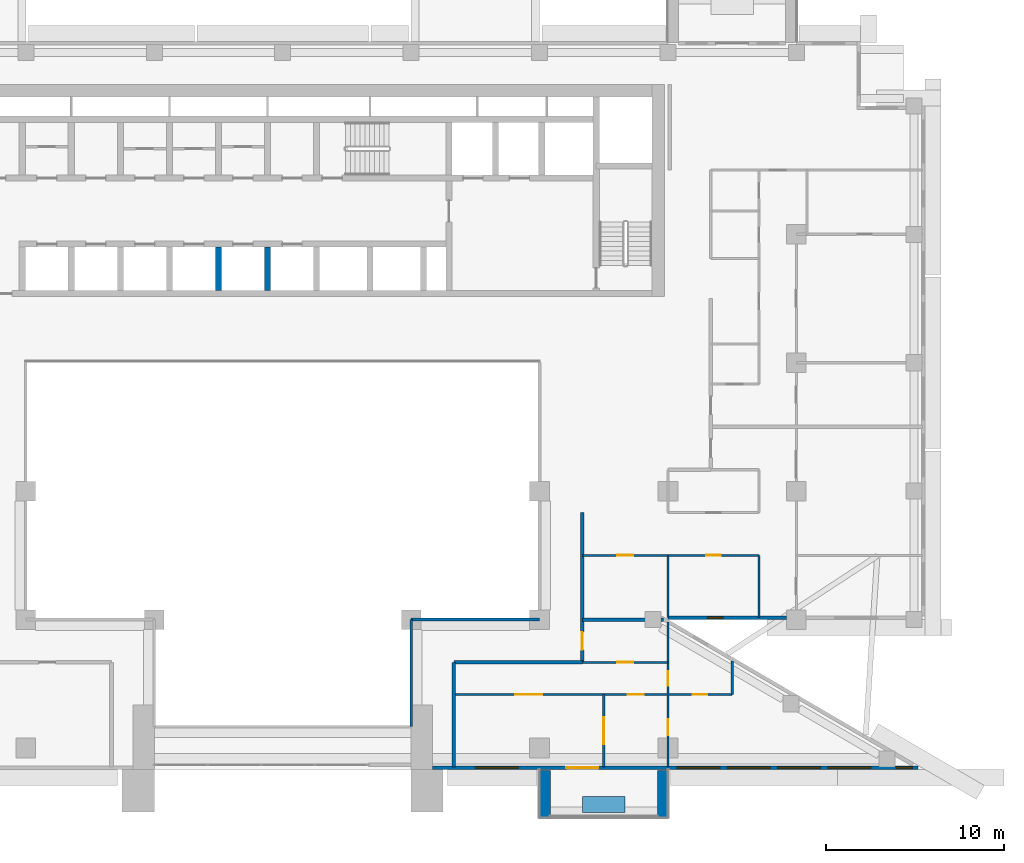
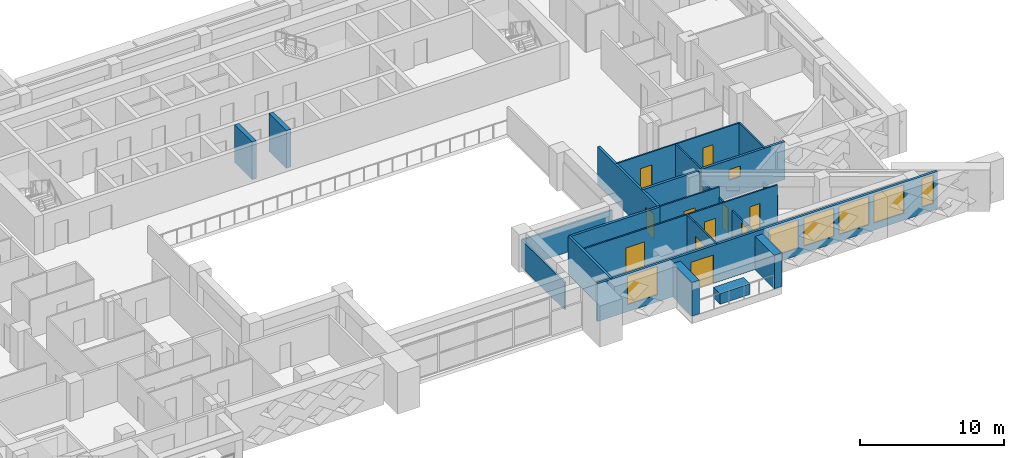
# One storey, part 8 of 19: 21 walls, 11 doors, 7 windows, 18 openings.
"""IFC4 building model written with IfcOpenShell, lengths in metres."""

from ifc_helpers import new_model, si_unit, direction, frame, frame_2d, origin, place, context, subcontext, project, spatial, rectangle, extrude, material, layer, layer_set, type_object, element, fill, save


model = new_model("IFC4")

# Units and contexts
model_context = context("Model", 3, precision=1e-05, world=origin(), true_north=direction((0.0, 1.0)))
body_context = subcontext(model_context, "Body", "Model", "MODEL_VIEW")
ifc_project = project(units=[si_unit("LENGTHUNIT", "METRE"), si_unit("AREAUNIT", "SQUARE_METRE"), si_unit("VOLUMEUNIT", "CUBIC_METRE"), si_unit("PLANEANGLEUNIT", "RADIAN"), si_unit("MASSUNIT", "GRAM", prefix="KILO")], contexts=[model_context])

# Site, building, storey
site_placement = place(None, origin())
site = spatial("IfcSite", under=ifc_project, at=site_placement, CompositionType="ELEMENT")
building_placement = place(site_placement, origin())
building = spatial("IfcBuilding", under=site, at=building_placement, Name="Saffron Iwan Residences", CompositionType="ELEMENT")
storey_placement = place(building_placement, frame((0.0, 0.0, 116.5)))
storey = spatial("IfcBuildingStorey", under=building, at=storey_placement, Name="L30", CompositionType="ELEMENT", Elevation=116.5)

# Walls
ifc_material_1 = material(Name="Fire-rated glazing", Category="glass")
ifc_layer_1 = layer(ifc_material_1, 0.14990234375)
ifc_layer_set_1 = layer_set([ifc_layer_1], Name="Fire-rated glazing")
wall_type_1 = type_object("IfcWallType", Name="Atrium glazed screen 150", PredefinedType="SOLIDWALL", material=ifc_layer_set_1)
wall_1_placement = place(storey_placement, frame((57.60009765625, 48.0, 0.0), z_axis=(0.0, 0.0, 1.0), x_axis=(1.0, 0.0, 0.0)))
element("IfcWall", 1, at=wall_1_placement, inside=storey, type_object=wall_type_1, Name="W-L30-SCREEN-h48-57.6", PredefinedType="SOLIDWALL", context=body_context, shape_type="SweptSolid", body=[
    extrude(rectangle(XDim=7.199951171875, YDim=0.14990234375, at=frame_2d((3.60009765625, 0.0))), origin(), (0.0, 0.0, 1.0), 2.300048828125),
])
wall_2_placement = place(storey_placement, frame((57.60009765625, 42.0, 0.0), z_axis=(0.0, 0.0, 1.0), x_axis=(0.0, 1.0, 0.0)))
element("IfcWall", 2, at=wall_2_placement, inside=storey, type_object=wall_type_1, Name="W-L30-SCREEN-v57.6-42", PredefinedType="SOLIDWALL", context=body_context, shape_type="SweptSolid", body=[
    extrude(rectangle(XDim=6.0, YDim=0.14990234375, at=frame_2d((3.0, 0.0))), origin(), (0.0, 0.0, 1.0), 2.300048828125),
])
ifc_material_2 = material(Name="Concrete C50/60 white painted", Category="concrete")
ifc_layer_2 = layer(ifc_material_2, 0.60009765625)
ifc_layer_set_2 = layer_set([ifc_layer_2], Name="Concrete C50/60 white painted")
wall_type_2 = type_object("IfcWallType", Name="BALCONY FIN 600", PredefinedType="SOLIDWALL", material=ifc_layer_set_2)
for number, where, z_axis, x_axis, name in (
    (3, (65.10009765625, 39.550048828125, 0.0), (0.0, 0.0, 1.0), (0.0, -1.0, 0.0), "Balcony fin L30 11-1a"),
    (4, (71.699951171875, 39.550048828125, 0.0), (0.0, 0.0, 1.0), (0.0, -1.0, 0.0), "Balcony fin L30 11-1b"),
):
    element("IfcWall", number, at=place(storey_placement, frame(where, z_axis=z_axis, x_axis=x_axis)), inside=storey, type_object=wall_type_2, Name=name, PredefinedType="SOLIDWALL", context=body_context, shape_type="SweptSolid", body=[
        extrude(rectangle(XDim=2.650146484375, YDim=0.60009765625, at=frame_2d((1.3251953125, 0.0))), origin(), (0.0, 0.0, 1.0), 2.85009765625),
    ])
ifc_material_3 = material(Name="Concrete C35/45 white painted", Category="concrete")
ifc_layer_3 = layer(ifc_material_3, 0.14990234375)
ifc_layer_set_3 = layer_set([ifc_layer_3], Name="Concrete C35/45 white painted")
wall_type_3 = type_object("IfcWallType", Name="BALCONY PLANTER", PredefinedType="SOLIDWALL", material=ifc_layer_set_3)
wall_3_placement = place(storey_placement, frame((67.199951171875, 37.625, 0.0), z_axis=(0.0, 0.0, 1.0), x_axis=(1.0, 0.0, 0.0)))
element("IfcWall", 5, at=wall_3_placement, inside=storey, type_object=wall_type_3, Name="PLANTER L30 11-1", PredefinedType="SOLIDWALL", context=body_context, shape_type="SweptSolid", body=[
    extrude(rectangle(XDim=2.400146484375, YDim=0.89990234375, at=frame_2d((1.2001953125, 0.0))), origin(), (0.0, 0.0, 1.0), 0.89990234375),
])

# Wall, opening, window
ifc_material_4 = material(Name="Concrete C40/50", Category="concrete")
ifc_layer_4 = layer(ifc_material_4, 0.199951171875)
ifc_layer_set_4 = layer_set([ifc_layer_4], Name="Concrete C40/50")
wall_type_4 = type_object("IfcWallType", Name="EXTERNAL WALL 200", PredefinedType="SOLIDWALL", material=ifc_layer_set_4)
wall_4_placement = place(storey_placement, frame((71.989990234375, 48.10009765625, 0.0), z_axis=(0.0, 0.0, 1.0), x_axis=(1.0, 0.0, 0.0)))
wall_4 = element("IfcWall", 6, at=wall_4_placement, inside=storey, type_object=wall_type_4, Name="External wall L30 F1.0", PredefinedType="SOLIDWALL", context=body_context, shape_type="SweptSolid", body=[
    extrude(rectangle(XDim=6.659912109375, YDim=0.199951171875, at=frame_2d((3.330078125, 0.0))), origin(), (0.0, 0.0, 1.0), 3.199951171875),
])
opening_1_placement = place(wall_4_placement, frame((2.204833984375, 0.0, 1.5)))
opening_1 = element("IfcOpeningElement", 7, at=opening_1_placement, cuts=wall_4, Name="Opening W6", PredefinedType="OPENING", context=body_context, shape_type="SweptSolid", body=[
    extrude(rectangle(XDim=0.89990234375, YDim=0.89990234375, at=frame_2d((0.449951171875, 0.449951171875))), frame((0.0, 0.10986328125, 0.0), z_axis=(0.0, -1.0, 0.0), x_axis=(1.0, 0.0, 0.0)), (0.0, 0.0, 1.0), 0.219970703125),
])
ifc_material_5 = material(Name="Clear glass, laminated double glazed", Category="glass")
window_type_1 = type_object("IfcWindowType", Name="WINDOW 900 x 900 BATH", PartitioningType="SINGLE_PANEL", PredefinedType="WINDOW", material=ifc_material_5)
window_1_placement = place(opening_1_placement, origin())
window_1 = element("IfcWindow", 8, at=window_1_placement, inside=storey, type_object=window_type_1, Name="Window L30 F1.0", OverallHeight=0.89990234375, OverallWidth=0.89990234375, PartitioningType="SINGLE_PANEL", PredefinedType="WINDOW", context=body_context, shape_type="SweptSolid", body=[
    extrude(rectangle(XDim=0.89990234375, YDim=0.89990234375, at=frame_2d((0.449951171875, 0.449951171875))), frame((0.0, 0.030029296875, 0.0), z_axis=(0.0, -1.0, 0.0), x_axis=(1.0, 0.0, 0.0)), (0.0, 0.0, 1.0), 0.06005859375),
])
fill(opening_1, window_1)

# Wall, openings, door, windows
wall_5_placement = place(storey_placement, frame((58.800048828125, 39.699951171875, 0.0), z_axis=(0.0, 0.0, 1.0), x_axis=(1.0, 0.0, 0.0)))
wall_5 = element("IfcWall", 9, at=wall_5_placement, inside=storey, type_object=wall_type_4, Name="External wall L30 F11.1", PredefinedType="SOLIDWALL", context=body_context, shape_type="SweptSolid", body=[
    extrude(rectangle(XDim=27.22998046875, YDim=0.199951171875, at=frame_2d((13.614990234375, 0.0))), origin(), (0.0, 0.0, 1.0), 3.199951171875),
])
opening_2_placement = place(wall_5_placement, frame((7.5, 0.0, 0.0)))
opening_2 = element("IfcOpeningElement", 10, at=opening_2_placement, cuts=wall_5, Name="Opening BD1", PredefinedType="OPENING", context=body_context, shape_type="SweptSolid", body=[
    extrude(rectangle(XDim=1.800048828125, YDim=2.39990234375, at=frame_2d((0.89990234375, 1.199951171875))), frame((0.0, 0.10986328125, 0.0), z_axis=(0.0, -1.0, 0.0), x_axis=(1.0, 0.0, 0.0)), (0.0, 0.0, 1.0), 0.219970703125),
])
opening_3_placement = place(wall_5_placement, frame((2.39990234375, 0.0, 0.60009765625)))
opening_3 = element("IfcOpeningElement", 11, at=opening_3_placement, cuts=wall_5, Name="Opening W1", PredefinedType="OPENING", context=body_context, shape_type="SweptSolid", body=[
    extrude(rectangle(XDim=2.39990234375, YDim=2.39990234375, at=frame_2d((1.199951171875, 1.199951171875))), frame((0.0, 0.10986328125, 0.0), z_axis=(0.0, -1.0, 0.0), x_axis=(1.0, 0.0, 0.0)), (0.0, 0.0, 1.0), 0.219970703125),
])
opening_4_placement = place(wall_5_placement, frame((13.715087890625, 0.0, 0.60009765625)))
opening_4 = element("IfcOpeningElement", 12, at=opening_4_placement, cuts=wall_5, Name="Opening W1", PredefinedType="OPENING", context=body_context, shape_type="SweptSolid", body=[
    extrude(rectangle(XDim=2.39990234375, YDim=2.39990234375, at=frame_2d((1.199951171875, 1.199951171875))), frame((0.0, 0.10986328125, 0.0), z_axis=(0.0, -1.0, 0.0), x_axis=(1.0, 0.0, 0.0)), (0.0, 0.0, 1.0), 0.219970703125),
])
opening_5_placement = place(wall_5_placement, frame((16.530517578125, 0.0, 0.60009765625)))
opening_5 = element("IfcOpeningElement", 13, at=opening_5_placement, cuts=wall_5, Name="Opening W1", PredefinedType="OPENING", context=body_context, shape_type="SweptSolid", body=[
    extrude(rectangle(XDim=2.39990234375, YDim=2.39990234375, at=frame_2d((1.199951171875, 1.199951171875))), frame((0.0, 0.10986328125, 0.0), z_axis=(0.0, -1.0, 0.0), x_axis=(1.0, 0.0, 0.0)), (0.0, 0.0, 1.0), 0.219970703125),
])
opening_6_placement = place(wall_5_placement, frame((19.345703125, 0.0, 0.60009765625)))
opening_6 = element("IfcOpeningElement", 14, at=opening_6_placement, cuts=wall_5, Name="Opening W1", PredefinedType="OPENING", context=body_context, shape_type="SweptSolid", body=[
    extrude(rectangle(XDim=2.39990234375, YDim=2.39990234375, at=frame_2d((1.199951171875, 1.199951171875))), frame((0.0, 0.10986328125, 0.0), z_axis=(0.0, -1.0, 0.0), x_axis=(1.0, 0.0, 0.0)), (0.0, 0.0, 1.0), 0.219970703125),
])
opening_7_placement = place(wall_5_placement, frame((22.160888671875, 0.0, 0.60009765625)))
opening_7 = element("IfcOpeningElement", 15, at=opening_7_placement, cuts=wall_5, Name="Opening W1", PredefinedType="OPENING", context=body_context, shape_type="SweptSolid", body=[
    extrude(rectangle(XDim=2.39990234375, YDim=2.39990234375, at=frame_2d((1.199951171875, 1.199951171875))), frame((0.0, 0.10986328125, 0.0), z_axis=(0.0, -1.0, 0.0), x_axis=(1.0, 0.0, 0.0)), (0.0, 0.0, 1.0), 0.219970703125),
])
opening_8_placement = place(wall_5_placement, frame((26.003173828125, 0.0, 0.60009765625)))
opening_8 = element("IfcOpeningElement", 16, at=opening_8_placement, cuts=wall_5, Name="Opening W10", PredefinedType="OPENING", context=body_context, shape_type="SweptSolid", body=[
    extrude(rectangle(XDim=0.89990234375, YDim=2.39990234375, at=frame_2d((0.449951171875, 1.199951171875))), frame((0.0, 0.10986328125, 0.0), z_axis=(0.0, -1.0, 0.0), x_axis=(1.0, 0.0, 0.0)), (0.0, 0.0, 1.0), 0.219970703125),
])
door_type_1 = type_object("IfcDoorType", Name="BALCONY DOOR 1800 x 2400", OperationType="DOUBLE_DOOR_SLIDING", PredefinedType="DOOR", material=ifc_material_5)
door_1_placement = place(opening_2_placement, origin())
door_1 = element("IfcDoor", 17, at=door_1_placement, inside=storey, type_object=door_type_1, Name="Balcony door L30 F11.0", OperationType="DOUBLE_DOOR_SLIDING", OverallHeight=2.39990234375, OverallWidth=1.800048828125, PredefinedType="DOOR", context=body_context, shape_type="SweptSolid", body=[
    extrude(rectangle(XDim=1.800048828125, YDim=2.39990234375, at=frame_2d((0.89990234375, 1.199951171875))), frame((0.0, 0.02490234375, 0.0), z_axis=(0.0, -1.0, 0.0), x_axis=(1.0, 0.0, 0.0)), (0.0, 0.0, 1.0), 0.050048828125),
])
fill(opening_2, door_1)
window_type_2 = type_object("IfcWindowType", Name="WINDOW 2400 x 2400", PartitioningType="DOUBLE_PANEL_VERTICAL", PredefinedType="WINDOW", material=ifc_material_5)
window_2_placement = place(opening_3_placement, origin())
window_2 = element("IfcWindow", 18, at=window_2_placement, inside=storey, type_object=window_type_2, Name="Window L30 F11.1", OverallHeight=2.39990234375, OverallWidth=2.39990234375, PartitioningType="DOUBLE_PANEL_VERTICAL", PredefinedType="WINDOW", context=body_context, shape_type="SweptSolid", body=[
    extrude(rectangle(XDim=2.39990234375, YDim=2.39990234375, at=frame_2d((1.199951171875, 1.199951171875))), frame((0.0, 0.030029296875, 0.0), z_axis=(0.0, -1.0, 0.0), x_axis=(1.0, 0.0, 0.0)), (0.0, 0.0, 1.0), 0.06005859375),
])
fill(opening_3, window_2)
window_3_placement = place(opening_4_placement, origin())
window_3 = element("IfcWindow", 19, at=window_3_placement, inside=storey, type_object=window_type_2, Name="Window L30 F11.2", OverallHeight=2.39990234375, OverallWidth=2.39990234375, PartitioningType="DOUBLE_PANEL_VERTICAL", PredefinedType="WINDOW", context=body_context, shape_type="SweptSolid", body=[
    extrude(rectangle(XDim=2.39990234375, YDim=2.39990234375, at=frame_2d((1.199951171875, 1.199951171875))), frame((0.0, 0.030029296875, 0.0), z_axis=(0.0, -1.0, 0.0), x_axis=(1.0, 0.0, 0.0)), (0.0, 0.0, 1.0), 0.06005859375),
])
fill(opening_4, window_3)
window_4_placement = place(opening_5_placement, origin())
window_4 = element("IfcWindow", 20, at=window_4_placement, inside=storey, type_object=window_type_2, Name="Window L30 F11.3", OverallHeight=2.39990234375, OverallWidth=2.39990234375, PartitioningType="DOUBLE_PANEL_VERTICAL", PredefinedType="WINDOW", context=body_context, shape_type="SweptSolid", body=[
    extrude(rectangle(XDim=2.39990234375, YDim=2.39990234375, at=frame_2d((1.199951171875, 1.199951171875))), frame((0.0, 0.030029296875, 0.0), z_axis=(0.0, -1.0, 0.0), x_axis=(1.0, 0.0, 0.0)), (0.0, 0.0, 1.0), 0.06005859375),
])
fill(opening_5, window_4)
window_5_placement = place(opening_6_placement, origin())
window_5 = element("IfcWindow", 21, at=window_5_placement, inside=storey, type_object=window_type_2, Name="Window L30 F11.4", OverallHeight=2.39990234375, OverallWidth=2.39990234375, PartitioningType="DOUBLE_PANEL_VERTICAL", PredefinedType="WINDOW", context=body_context, shape_type="SweptSolid", body=[
    extrude(rectangle(XDim=2.39990234375, YDim=2.39990234375, at=frame_2d((1.199951171875, 1.199951171875))), frame((0.0, 0.030029296875, 0.0), z_axis=(0.0, -1.0, 0.0), x_axis=(1.0, 0.0, 0.0)), (0.0, 0.0, 1.0), 0.06005859375),
])
fill(opening_6, window_5)
window_6_placement = place(opening_7_placement, origin())
window_6 = element("IfcWindow", 22, at=window_6_placement, inside=storey, type_object=window_type_2, Name="Window L30 F11.5", OverallHeight=2.39990234375, OverallWidth=2.39990234375, PartitioningType="DOUBLE_PANEL_VERTICAL", PredefinedType="WINDOW", context=body_context, shape_type="SweptSolid", body=[
    extrude(rectangle(XDim=2.39990234375, YDim=2.39990234375, at=frame_2d((1.199951171875, 1.199951171875))), frame((0.0, 0.030029296875, 0.0), z_axis=(0.0, -1.0, 0.0), x_axis=(1.0, 0.0, 0.0)), (0.0, 0.0, 1.0), 0.06005859375),
])
fill(opening_7, window_6)
window_type_3 = type_object("IfcWindowType", Name="WINDOW 900 x 2400", PartitioningType="SINGLE_PANEL", PredefinedType="WINDOW", material=ifc_material_5)
window_7_placement = place(opening_8_placement, origin())
window_7 = element("IfcWindow", 23, at=window_7_placement, inside=storey, type_object=window_type_3, Name="Window L30 F11.6", OverallHeight=2.39990234375, OverallWidth=0.89990234375, PartitioningType="SINGLE_PANEL", PredefinedType="WINDOW", context=body_context, shape_type="SweptSolid", body=[
    extrude(rectangle(XDim=0.89990234375, YDim=2.39990234375, at=frame_2d((0.449951171875, 1.199951171875))), frame((0.0, 0.030029296875, 0.0), z_axis=(0.0, -1.0, 0.0), x_axis=(1.0, 0.0, 0.0)), (0.0, 0.0, 1.0), 0.06005859375),
])
fill(opening_8, window_7)

# Wall
ifc_material_6 = material(Name="Fire-rated gypsum board wall")
ifc_layer_5 = layer(ifc_material_6, 0.199951171875)
ifc_layer_set_5 = layer_set([ifc_layer_5], Name="Fire-rated gypsum board wall")
wall_type_5 = type_object("IfcWallType", Name="Flat demising wall 200", PredefinedType="SOLIDWALL", material=ifc_layer_set_5)
wall_6_placement = place(storey_placement, frame((67.199951171875, 48.0, 0.0), z_axis=(0.0, 0.0, 1.0), x_axis=(1.0, 0.0, 0.0)))
element("IfcWall", 24, at=wall_6_placement, inside=storey, type_object=wall_type_5, Name="W-L30-DEMISE-h48-67.2", PredefinedType="SOLIDWALL", context=body_context, shape_type="SweptSolid", body=[
    extrude(rectangle(XDim=4.552001953125, YDim=0.199951171875, at=frame_2d((2.27587890625, 0.0))), origin(), (0.0, 0.0, 1.0), 3.199951171875),
])

# Wall, openings, doors
ifc_material_7 = material(Name="Gypsum board partition")
ifc_layer_6 = layer(ifc_material_7, 0.1201171875)
ifc_layer_set_6 = layer_set([ifc_layer_6], Name="Gypsum board partition")
wall_type_6 = type_object("IfcWallType", Name="Flat partition 120", PredefinedType="PARTITIONING", material=ifc_layer_set_6)
wall_7_placement = place(storey_placement, frame((60.0, 43.800048828125, 0.0), z_axis=(0.0, 0.0, 1.0), x_axis=(1.0, 0.0, 0.0)))
wall_7 = element("IfcWall", 25, at=wall_7_placement, inside=storey, type_object=wall_type_6, Name="W-L30-PART-h43.8-60", PredefinedType="PARTITIONING", context=body_context, shape_type="SweptSolid", body=[
    extrude(rectangle(XDim=15.60009765625, YDim=0.1201171875, at=frame_2d((7.800048828125, 0.0))), origin(), (0.0, 0.0, 1.0), 3.199951171875),
])
opening_9_placement = place(wall_7_placement, frame((9.75, 0.0, 0.0)))
opening_9 = element("IfcOpeningElement", 26, at=opening_9_placement, cuts=wall_7, Name="Opening FD2", PredefinedType="OPENING", context=body_context, shape_type="SweptSolid", body=[
    extrude(rectangle(XDim=0.89990234375, YDim=2.10009765625, at=frame_2d((0.449951171875, 1.050048828125))), frame((0.0, 0.070068359375, 0.0), z_axis=(0.0, -1.0, 0.0), x_axis=(1.0, 0.0, 0.0)), (0.0, 0.0, 1.0), 0.14013671875),
])
opening_10_placement = place(wall_7_placement, frame((3.449951171875, 0.0, 0.0)))
opening_10 = element("IfcOpeningElement", 27, at=opening_10_placement, cuts=wall_7, Name="Opening FD4", PredefinedType="OPENING", context=body_context, shape_type="SweptSolid", body=[
    extrude(rectangle(XDim=1.5, YDim=2.10009765625, at=frame_2d((0.75, 1.050048828125))), frame((0.0, 0.070068359375, 0.0), z_axis=(0.0, -1.0, 0.0), x_axis=(1.0, 0.0, 0.0)), (0.0, 0.0, 1.0), 0.14013671875),
])
opening_11_placement = place(wall_7_placement, frame((13.39990234375, 0.0, 0.0)))
opening_11 = element("IfcOpeningElement", 28, at=opening_11_placement, cuts=wall_7, Name="Opening FD3", PredefinedType="OPENING", context=body_context, shape_type="SweptSolid", body=[
    extrude(rectangle(XDim=0.800048828125, YDim=2.10009765625, at=frame_2d((0.39990234375, 1.050048828125))), frame((0.0, 0.070068359375, 0.0), z_axis=(0.0, -1.0, 0.0), x_axis=(1.0, 0.0, 0.0)), (0.0, 0.0, 1.0), 0.14013671875),
])
ifc_material_8 = material(Name="Timber door", Category="wood")
door_type_2 = type_object("IfcDoorType", Name="Bathroom door 800", OperationType="NOTDEFINED", PredefinedType="DOOR", material=ifc_material_8)
door_2_placement = place(opening_11_placement, origin())
door_2 = element("IfcDoor", 29, at=door_2_placement, inside=storey, type_object=door_type_2, Name="Door L30-045", OperationType="SINGLE_SWING_LEFT", OverallHeight=2.10009765625, OverallWidth=0.800048828125, PredefinedType="DOOR", context=body_context, shape_type="SweptSolid", body=[
    extrude(rectangle(XDim=0.800048828125, YDim=2.10009765625, at=frame_2d((0.39990234375, 1.050048828125))), frame((0.0, 0.02490234375, 0.0), z_axis=(0.0, -1.0, 0.0), x_axis=(1.0, 0.0, 0.0)), (0.0, 0.0, 1.0), 0.050048828125),
])
fill(opening_11, door_2)
door_type_3 = type_object("IfcDoorType", Name="Double door 1500", OperationType="NOTDEFINED", PredefinedType="DOOR", material=ifc_material_8)
door_3_placement = place(opening_10_placement, origin())
door_3 = element("IfcDoor", 30, at=door_3_placement, inside=storey, type_object=door_type_3, Name="Door L30-042", OperationType="SINGLE_SWING_LEFT", OverallHeight=2.10009765625, OverallWidth=1.5, PredefinedType="DOOR", context=body_context, shape_type="SweptSolid", body=[
    extrude(rectangle(XDim=1.5, YDim=2.10009765625, at=frame_2d((0.75, 1.050048828125))), frame((0.0, 0.02490234375, 0.0), z_axis=(0.0, -1.0, 0.0), x_axis=(1.0, 0.0, 0.0)), (0.0, 0.0, 1.0), 0.050048828125),
])
fill(opening_10, door_3)
door_type_4 = type_object("IfcDoorType", Name="Flat door 900", OperationType="NOTDEFINED", PredefinedType="DOOR", material=ifc_material_8)
door_4_placement = place(opening_9_placement, origin())
door_4 = element("IfcDoor", 31, at=door_4_placement, inside=storey, type_object=door_type_4, Name="Door L30-041", OperationType="SINGLE_SWING_LEFT", OverallHeight=2.10009765625, OverallWidth=0.89990234375, PredefinedType="DOOR", context=body_context, shape_type="SweptSolid", body=[
    extrude(rectangle(XDim=0.89990234375, YDim=2.10009765625, at=frame_2d((0.449951171875, 1.050048828125))), frame((0.0, 0.02490234375, 0.0), z_axis=(0.0, -1.0, 0.0), x_axis=(1.0, 0.0, 0.0)), (0.0, 0.0, 1.0), 0.050048828125),
])
fill(opening_9, door_4)

# Wall, opening, door
wall_8_placement = place(storey_placement, frame((67.199951171875, 45.60009765625, 0.0), z_axis=(0.0, 0.0, 1.0), x_axis=(1.0, 0.0, 0.0)))
wall_8 = element("IfcWall", 32, at=wall_8_placement, inside=storey, type_object=wall_type_6, Name="W-L30-PART-h45.6-67.2", PredefinedType="PARTITIONING", context=body_context, shape_type="SweptSolid", body=[
    extrude(rectangle(XDim=4.800048828125, YDim=0.1201171875, at=frame_2d((2.39990234375, 0.0))), origin(), (0.0, 0.0, 1.0), 3.199951171875),
])
opening_12_placement = place(wall_8_placement, frame((1.949951171875, 0.0, 0.0)))
opening_12 = element("IfcOpeningElement", 33, at=opening_12_placement, cuts=wall_8, Name="Opening FD2", PredefinedType="OPENING", context=body_context, shape_type="SweptSolid", body=[
    extrude(rectangle(XDim=0.89990234375, YDim=2.10009765625, at=frame_2d((0.449951171875, 1.050048828125))), frame((0.0, 0.070068359375, 0.0), z_axis=(0.0, -1.0, 0.0), x_axis=(1.0, 0.0, 0.0)), (0.0, 0.0, 1.0), 0.14013671875),
])
door_5_placement = place(opening_12_placement, origin())
door_5 = element("IfcDoor", 34, at=door_5_placement, inside=storey, type_object=door_type_4, Name="Door L30-039", OperationType="SINGLE_SWING_LEFT", OverallHeight=2.10009765625, OverallWidth=0.89990234375, PredefinedType="DOOR", context=body_context, shape_type="SweptSolid", body=[
    extrude(rectangle(XDim=0.89990234375, YDim=2.10009765625, at=frame_2d((0.449951171875, 1.050048828125))), frame((0.0, 0.02490234375, 0.0), z_axis=(0.0, -1.0, 0.0), x_axis=(1.0, 0.0, 0.0)), (0.0, 0.0, 1.0), 0.050048828125),
])
fill(opening_12, door_5)

# Wall, openings, doors
wall_9_placement = place(storey_placement, frame((67.199951171875, 51.60009765625, 0.0), z_axis=(0.0, 0.0, 1.0), x_axis=(1.0, 0.0, 0.0)))
wall_9 = element("IfcWall", 35, at=wall_9_placement, inside=storey, type_object=wall_type_6, Name="W-L30-PART-h51.6-67.2", PredefinedType="PARTITIONING", context=body_context, shape_type="SweptSolid", body=[
    extrude(rectangle(XDim=9.900146484375, YDim=0.1201171875, at=frame_2d((4.9501953125, 0.0))), origin(), (0.0, 0.0, 1.0), 3.199951171875),
])
opening_13_placement = place(wall_9_placement, frame((6.949951171875, 0.0, 0.0)))
opening_13 = element("IfcOpeningElement", 36, at=opening_13_placement, cuts=wall_9, Name="Opening FD3", PredefinedType="OPENING", context=body_context, shape_type="SweptSolid", body=[
    extrude(rectangle(XDim=0.800048828125, YDim=2.10009765625, at=frame_2d((0.39990234375, 1.050048828125))), frame((0.0, 0.070068359375, 0.0), z_axis=(0.0, -1.0, 0.0), x_axis=(1.0, 0.0, 0.0)), (0.0, 0.0, 1.0), 0.14013671875),
])
opening_14_placement = place(wall_9_placement, frame((1.949951171875, 0.0, 0.0)))
opening_14 = element("IfcOpeningElement", 37, at=opening_14_placement, cuts=wall_9, Name="Opening FD2", PredefinedType="OPENING", context=body_context, shape_type="SweptSolid", body=[
    extrude(rectangle(XDim=0.89990234375, YDim=2.10009765625, at=frame_2d((0.449951171875, 1.050048828125))), frame((0.0, 0.070068359375, 0.0), z_axis=(0.0, -1.0, 0.0), x_axis=(1.0, 0.0, 0.0)), (0.0, 0.0, 1.0), 0.14013671875),
])
door_6_placement = place(opening_13_placement, origin())
door_6 = element("IfcDoor", 38, at=door_6_placement, inside=storey, type_object=door_type_2, Name="Door L30-019", OperationType="SINGLE_SWING_RIGHT", OverallHeight=2.10009765625, OverallWidth=0.800048828125, PredefinedType="DOOR", context=body_context, shape_type="SweptSolid", body=[
    extrude(rectangle(XDim=0.800048828125, YDim=2.10009765625, at=frame_2d((0.39990234375, 1.050048828125))), frame((0.0, 0.02490234375, 0.0), z_axis=(0.0, -1.0, 0.0), x_axis=(1.0, 0.0, 0.0)), (0.0, 0.0, 1.0), 0.050048828125),
])
fill(opening_13, door_6)
door_7_placement = place(opening_14_placement, origin())
door_7 = element("IfcDoor", 39, at=door_7_placement, inside=storey, type_object=door_type_4, Name="Door L30-021", OperationType="SINGLE_SWING_LEFT", OverallHeight=2.10009765625, OverallWidth=0.89990234375, PredefinedType="DOOR", context=body_context, shape_type="SweptSolid", body=[
    extrude(rectangle(XDim=0.89990234375, YDim=2.10009765625, at=frame_2d((0.449951171875, 1.050048828125))), frame((0.0, 0.02490234375, 0.0), z_axis=(0.0, -1.0, 0.0), x_axis=(1.0, 0.0, 0.0)), (0.0, 0.0, 1.0), 0.050048828125),
])
fill(opening_14, door_7)

# Wall, opening, door
wall_10_placement = place(storey_placement, frame((68.39990234375, 39.72509765625, 0.0), z_axis=(0.0, 0.0, 1.0), x_axis=(0.0, 1.0, 0.0)))
wall_10 = element("IfcWall", 40, at=wall_10_placement, inside=storey, type_object=wall_type_6, Name="W-L30-PART-v68.4-39.725", PredefinedType="PARTITIONING", context=body_context, shape_type="SweptSolid", body=[
    extrude(rectangle(XDim=4.074951171875, YDim=0.1201171875, at=frame_2d((2.03759765625, 0.0))), origin(), (0.0, 0.0, 1.0), 3.199951171875),
])
opening_15_placement = place(wall_10_placement, frame((1.28759765625, 0.0, 0.0)))
opening_15 = element("IfcOpeningElement", 41, at=opening_15_placement, cuts=wall_10, Name="Opening FD4", PredefinedType="OPENING", context=body_context, shape_type="SweptSolid", body=[
    extrude(rectangle(XDim=1.5, YDim=2.10009765625, at=frame_2d((0.75, 1.050048828125))), frame((0.0, 0.070068359375, 0.0), z_axis=(0.0, -1.0, 0.0), x_axis=(1.0, 0.0, 0.0)), (0.0, 0.0, 1.0), 0.14013671875),
])
door_8_placement = place(opening_15_placement, origin())
door_8 = element("IfcDoor", 42, at=door_8_placement, inside=storey, type_object=door_type_3, Name="Door L30-038", OperationType="SINGLE_SWING_LEFT", OverallHeight=2.10009765625, OverallWidth=1.5, PredefinedType="DOOR", context=body_context, shape_type="SweptSolid", body=[
    extrude(rectangle(XDim=1.5, YDim=2.10009765625, at=frame_2d((0.75, 1.050048828125))), frame((0.0, 0.02490234375, 0.0), z_axis=(0.0, -1.0, 0.0), x_axis=(1.0, 0.0, 0.0)), (0.0, 0.0, 1.0), 0.050048828125),
])
fill(opening_15, door_8)

# Wall, openings, doors
wall_11_placement = place(storey_placement, frame((72.0, 39.72509765625, 0.0), z_axis=(0.0, 0.0, 1.0), x_axis=(0.0, 1.0, 0.0)))
wall_11 = element("IfcWall", 43, at=wall_11_placement, inside=storey, type_object=wall_type_6, Name="W-L30-PART-v72-39.725", PredefinedType="PARTITIONING", context=body_context, shape_type="SweptSolid", body=[
    extrude(rectangle(XDim=8.1298828125, YDim=0.1201171875, at=frame_2d((4.06494140625, 0.0))), origin(), (0.0, 0.0, 1.0), 2.300048828125),
])
opening_16_placement = place(wall_11_placement, frame((1.78759765625, 0.0, 0.0)))
opening_16 = element("IfcOpeningElement", 44, at=opening_16_placement, cuts=wall_11, Name="Opening FD2", PredefinedType="OPENING", context=body_context, shape_type="SweptSolid", body=[
    extrude(rectangle(XDim=0.89990234375, YDim=2.10009765625, at=frame_2d((0.449951171875, 1.050048828125))), frame((0.0, 0.070068359375, 0.0), z_axis=(0.0, -1.0, 0.0), x_axis=(1.0, 0.0, 0.0)), (0.0, 0.0, 1.0), 0.14013671875),
])
opening_17_placement = place(wall_11_placement, frame((4.574951171875, 0.0, 0.0)))
opening_17 = element("IfcOpeningElement", 45, at=opening_17_placement, cuts=wall_11, Name="Opening FD3", PredefinedType="OPENING", context=body_context, shape_type="SweptSolid", body=[
    extrude(rectangle(XDim=0.800048828125, YDim=2.10009765625, at=frame_2d((0.39990234375, 1.050048828125))), frame((0.0, 0.070068359375, 0.0), z_axis=(0.0, -1.0, 0.0), x_axis=(1.0, 0.0, 0.0)), (0.0, 0.0, 1.0), 0.14013671875),
])
door_9_placement = place(opening_17_placement, origin())
door_9 = element("IfcDoor", 46, at=door_9_placement, inside=storey, type_object=door_type_2, Name="Door L30-044", OperationType="SINGLE_SWING_LEFT", OverallHeight=2.10009765625, OverallWidth=0.800048828125, PredefinedType="DOOR", context=body_context, shape_type="SweptSolid", body=[
    extrude(rectangle(XDim=0.800048828125, YDim=2.10009765625, at=frame_2d((0.39990234375, 1.050048828125))), frame((0.0, 0.02490234375, 0.0), z_axis=(0.0, -1.0, 0.0), x_axis=(1.0, 0.0, 0.0)), (0.0, 0.0, 1.0), 0.050048828125),
])
fill(opening_17, door_9)
door_10_placement = place(opening_16_placement, origin())
door_10 = element("IfcDoor", 47, at=door_10_placement, inside=storey, type_object=door_type_4, Name="Door L30-043", OperationType="SINGLE_SWING_LEFT", OverallHeight=2.10009765625, OverallWidth=0.89990234375, PredefinedType="DOOR", context=body_context, shape_type="SweptSolid", body=[
    extrude(rectangle(XDim=0.89990234375, YDim=2.10009765625, at=frame_2d((0.449951171875, 1.050048828125))), frame((0.0, 0.02490234375, 0.0), z_axis=(0.0, -1.0, 0.0), x_axis=(1.0, 0.0, 0.0)), (0.0, 0.0, 1.0), 0.050048828125),
])
fill(opening_16, door_10)

# Walls
wall_12_placement = place(storey_placement, frame((72.0, 48.125, 0.0), z_axis=(0.0, 0.0, 1.0), x_axis=(0.0, 1.0, 0.0)))
element("IfcWall", 48, at=wall_12_placement, inside=storey, type_object=wall_type_6, Name="W-L30-PART-v72-48.125", PredefinedType="PARTITIONING", context=body_context, shape_type="SweptSolid", body=[
    extrude(rectangle(XDim=3.47509765625, YDim=0.1201171875, at=frame_2d((1.737548828125, 0.0))), origin(), (0.0, 0.0, 1.0), 3.199951171875),
])
wall_13_placement = place(storey_placement, frame((75.60009765625, 43.800048828125, 0.0), z_axis=(0.0, 0.0, 1.0), x_axis=(0.0, 1.0, 0.0)))
element("IfcWall", 49, at=wall_13_placement, inside=storey, type_object=wall_type_6, Name="W-L30-PART-v75.6-43.8", PredefinedType="PARTITIONING", context=body_context, shape_type="SweptSolid", body=[
    extrude(rectangle(XDim=1.868408203125, YDim=0.1201171875, at=frame_2d((0.93408203125, 0.0))), origin(), (0.0, 0.0, 1.0), 2.300048828125),
])
wall_14_placement = place(storey_placement, frame((77.10009765625, 48.125, 0.0), z_axis=(0.0, 0.0, 1.0), x_axis=(0.0, 1.0, 0.0)))
element("IfcWall", 50, at=wall_14_placement, inside=storey, type_object=wall_type_6, Name="W-L30-PART-v77.1-48.125", PredefinedType="PARTITIONING", context=body_context, shape_type="SweptSolid", body=[
    extrude(rectangle(XDim=3.47509765625, YDim=0.1201171875, at=frame_2d((1.737548828125, 0.0))), origin(), (0.0, 0.0, 1.0), 3.199951171875),
])
ifc_layer_7 = layer(ifc_material_6, 0.199951171875)
ifc_layer_set_7 = layer_set([ifc_layer_7], Name="Fire-rated gypsum board wall")
wall_type_7 = type_object("IfcWallType", Name="Gallery wall 200", PredefinedType="SOLIDWALL", material=ifc_layer_set_7)
wall_15_placement = place(storey_placement, frame((60.0, 45.60009765625, 0.0), z_axis=(0.0, 0.0, 1.0), x_axis=(1.0, 0.0, 0.0)))
element("IfcWall", 51, at=wall_15_placement, inside=storey, type_object=wall_type_7, Name="W-L30-CORR-h45.6-60", PredefinedType="SOLIDWALL", context=body_context, shape_type="SweptSolid", body=[
    extrude(rectangle(XDim=7.199951171875, YDim=0.199951171875, at=frame_2d((3.60009765625, 0.0))), origin(), (0.0, 0.0, 1.0), 3.199951171875),
])
wall_16_placement = place(storey_placement, frame((60.0, 39.72509765625, 0.0), z_axis=(0.0, 0.0, 1.0), x_axis=(0.0, 1.0, 0.0)))
element("IfcWall", 52, at=wall_16_placement, inside=storey, type_object=wall_type_7, Name="W-L30-CORR-v60-39.725", PredefinedType="SOLIDWALL", context=body_context, shape_type="SweptSolid", body=[
    extrude(rectangle(XDim=5.875, YDim=0.199951171875, at=frame_2d((2.9375, 0.0))), origin(), (0.0, 0.0, 1.0), 3.199951171875),
])

# Wall, opening, door
wall_17_placement = place(storey_placement, frame((67.199951171875, 45.60009765625, 0.0), z_axis=(0.0, 0.0, 1.0), x_axis=(0.0, 1.0, 0.0)))
wall_17 = element("IfcWall", 53, at=wall_17_placement, inside=storey, type_object=wall_type_7, Name="W-L30-CORR-v67.2-45.6", PredefinedType="SOLIDWALL", context=body_context, shape_type="SweptSolid", body=[
    extrude(rectangle(XDim=8.39990234375, YDim=0.199951171875, at=frame_2d((4.199951171875, 0.0))), origin(), (0.0, 0.0, 1.0), 3.199951171875),
])
opening_18_placement = place(wall_17_placement, frame((0.699951171875, 0.0, 0.0)))
opening_18 = element("IfcOpeningElement", 54, at=opening_18_placement, cuts=wall_17, Name="Opening FD5", PredefinedType="OPENING", context=body_context, shape_type="SweptSolid", body=[
    extrude(rectangle(XDim=1.0, YDim=2.10009765625, at=frame_2d((0.5, 1.050048828125))), frame((0.0, 0.10986328125, 0.0), z_axis=(0.0, -1.0, 0.0), x_axis=(1.0, 0.0, 0.0)), (0.0, 0.0, 1.0), 0.219970703125),
])
ifc_material_9 = material(Name="Fire-rated timber door", Category="wood")
door_type_5 = type_object("IfcDoorType", Name="Lobby door 1000", OperationType="NOTDEFINED", PredefinedType="DOOR", material=ifc_material_9)
door_11_placement = place(opening_18_placement, origin())
door_11 = element("IfcDoor", 55, at=door_11_placement, inside=storey, type_object=door_type_5, Name="Door L30-040", OperationType="SINGLE_SWING_RIGHT", OverallHeight=2.10009765625, OverallWidth=1.0, PredefinedType="DOOR", context=body_context, shape_type="SweptSolid", body=[
    extrude(rectangle(XDim=1.0, YDim=2.10009765625, at=frame_2d((0.5, 1.050048828125))), frame((0.0, 0.02490234375, 0.0), z_axis=(0.0, -1.0, 0.0), x_axis=(1.0, 0.0, 0.0)), (0.0, 0.0, 1.0), 0.050048828125),
])
fill(opening_18, door_11)

# Walls
ifc_material_10 = material(Name="Concrete C50/60", Category="concrete")
ifc_layer_8 = layer(ifc_material_10, 0.35009765625)
ifc_layer_set_8 = layer_set([ifc_layer_8], Name="Concrete C50/60")
wall_type_8 = type_object("IfcWallType", Name="WALL CORE 350 C50/60 3200 HIGH", PredefinedType="SHEAR", material=ifc_layer_set_8)
for number, where, z_axis, x_axis, name in (
    (56, (46.800048828125, 66.449951171875, 0.0), (0.0, 0.0, 1.0), (0.0, 1.0, 0.0), "Core wall"),
    (57, (49.550048828125, 66.449951171875, 0.0), (0.0, 0.0, 1.0), (0.0, 1.0, 0.0), "Core wall"),
):
    element("IfcWall", number, at=place(storey_placement, frame(where, z_axis=z_axis, x_axis=x_axis)), inside=storey, type_object=wall_type_8, Name=name, PredefinedType="SHEAR", context=body_context, shape_type="SweptSolid", body=[
        extrude(rectangle(XDim=2.425048828125, YDim=0.35009765625, at=frame_2d((1.21240234375, 0.0))), origin(), (0.0, 0.0, 1.0), 3.199951171875),
    ])

save(model, "model.ifc")
